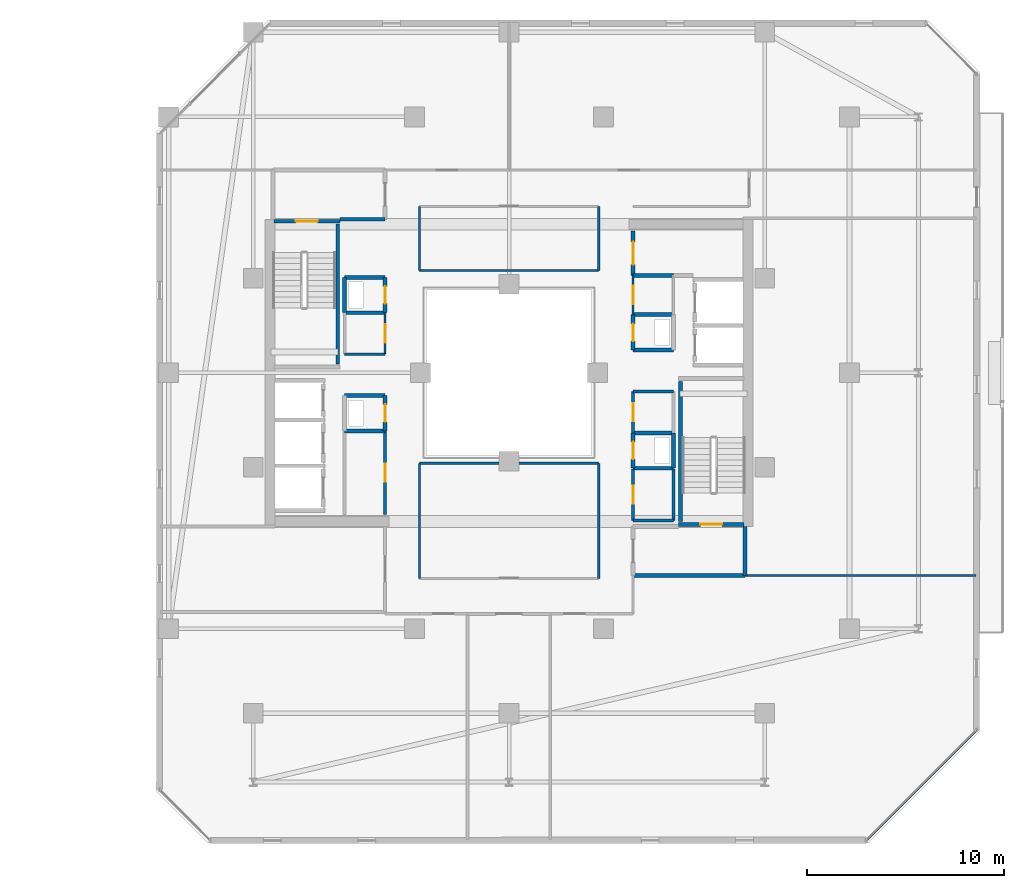
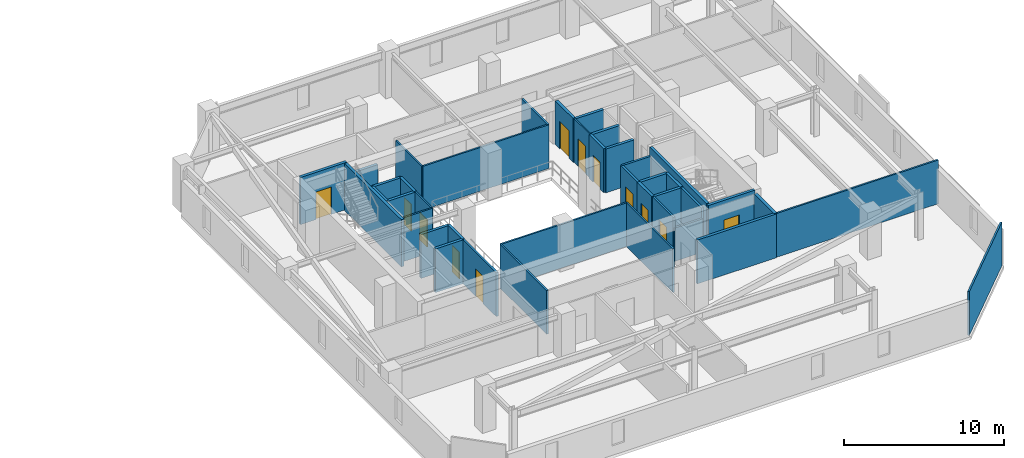
# One storey, part 23 of 31: 40 walls, 12 doors, 12 openings.
"""IFC4 building model written with IfcOpenShell, lengths in metres."""

from ifc_helpers import new_model, si_unit, direction, frame, frame_2d, origin, place, context, subcontext, project, spatial, rectangle, extrude, material, layer, layer_set, type_object, element, fill, save


model = new_model("IFC4")

# Units and contexts
model_context = context("Model", 3, precision=1e-05, world=origin(), true_north=direction((0.0, 1.0)))
body_context = subcontext(model_context, "Body", "Model", "MODEL_VIEW")
ifc_project = project(units=[si_unit("LENGTHUNIT", "METRE"), si_unit("AREAUNIT", "SQUARE_METRE"), si_unit("VOLUMEUNIT", "CUBIC_METRE"), si_unit("PLANEANGLEUNIT", "RADIAN"), si_unit("MASSUNIT", "GRAM", prefix="KILO")], contexts=[model_context])

# Site, building, storey
site_placement = place(None, origin())
site = spatial("IfcSite", under=ifc_project, at=site_placement, CompositionType="ELEMENT")
building_placement = place(site_placement, origin())
building = spatial("IfcBuilding", under=site, at=building_placement, Name="Thornwick Lancets Civic Towers", CompositionType="ELEMENT")
storey_placement = place(building_placement, frame((0.0, 0.0, 236.699951171875)))
storey = spatial("IfcBuildingStorey", under=building, at=storey_placement, Name="L63", CompositionType="ELEMENT", Elevation=236.699951171875)

# Walls
ifc_material_1 = material(Name="Concrete blockwork C40/50", Category="masonry")
ifc_layer_1 = layer(ifc_material_1, 0.199951171875, Name="Concrete blockwork C40/50")
ifc_layer_set_1 = layer_set([ifc_layer_1], Name="Concrete blockwork C40/50")
wall_type_1 = type_object("IfcWallType", Name="WALL_COMP_200", PredefinedType="STANDARD", material=ifc_layer_set_1)
wall_1_placement = place(storey_placement, frame((94.800048828125, 16.699951171875, 0.0), z_axis=(0.0, 0.0, 1.0), x_axis=(1.0, 0.0, 0.0)))
element("IfcWall", 1, at=wall_1_placement, inside=storey, type_object=wall_type_1, Name="L63 Partition L63-B-FFLOB1 E1", PredefinedType="STANDARD", context=body_context, shape_type="SweptSolid", body=[
    extrude(rectangle(XDim=5.699951171875, YDim=0.199951171875, at=frame_2d((2.85009765625, 0.0))), origin(), (0.0, 0.0, 1.0), 3.340087890625),
])
wall_2_placement = place(storey_placement, frame((100.5, 16.699951171875, 0.0), z_axis=(0.0, 0.0, 1.0), x_axis=(0.0, 1.0, 0.0)))
element("IfcWall", 2, at=wall_2_placement, inside=storey, type_object=wall_type_1, Name="L63 Partition L63-B-FFLOB1 E2", PredefinedType="STANDARD", context=body_context, shape_type="SweptSolid", body=[
    extrude(rectangle(XDim=2.5, YDim=0.199951171875, at=frame_2d((1.25, 0.0))), origin(), (0.0, 0.0, 1.0), 3.340087890625),
])
wall_3_placement = place(storey_placement, frame((79.89990234375, 34.800048828125, 0.0), z_axis=(0.0, 0.0, 1.0), x_axis=(1.0, 0.0, 0.0)))
element("IfcWall", 3, at=wall_3_placement, inside=storey, type_object=wall_type_1, Name="L63 Partition L63-B-FFLOB2 E1", PredefinedType="STANDARD", context=body_context, shape_type="SweptSolid", body=[
    extrude(rectangle(XDim=2.300048828125, YDim=0.199951171875, at=frame_2d((1.14990234375, 0.0))), origin(), (0.0, 0.0, 1.0), 2.545166015625),
])
for number, where, z_axis, x_axis, name in (
    (4, (94.800048828125, 28.14990234375, 0.0), (0.0, 0.0, 1.0), (1.0, 0.0, 0.0), "L63 Partition L63-B-DUCT1 E1"),
    (5, (96.85009765625, 29.949951171875, 0.0), (0.0, 0.0, 1.0), (-1.0, 0.0, 0.0), "L63 Partition L63-B-DUCT1 E3"),
):
    element("IfcWall", number, at=place(storey_placement, frame(where, z_axis=z_axis, x_axis=x_axis)), inside=storey, type_object=wall_type_1, Name=name, PredefinedType="STANDARD", context=body_context, shape_type="SweptSolid", body=[
        extrude(rectangle(XDim=2.050048828125, YDim=0.199951171875, at=frame_2d((1.02490234375, 0.0))), origin(), (0.0, 0.0, 1.0), 3.340087890625),
    ])

# Wall, opening, door
wall_4_placement = place(storey_placement, frame((94.800048828125, 29.949951171875, 0.0), z_axis=(0.0, 0.0, 1.0), x_axis=(0.0, -1.0, 0.0)))
wall_4 = element("IfcWall", 6, at=wall_4_placement, inside=storey, type_object=wall_type_1, Name="L63 Partition L63-B-DUCT1 E4", PredefinedType="STANDARD", context=body_context, shape_type="SweptSolid", body=[
    extrude(rectangle(XDim=1.800048828125, YDim=0.199951171875, at=frame_2d((0.89990234375, 0.0))), origin(), (0.0, 0.0, 1.0), 3.340087890625),
])
opening_1_placement = place(wall_4_placement, frame((0.4599609375, 0.0, 0.0)))
opening_1 = element("IfcOpeningElement", 7, at=opening_1_placement, cuts=wall_4, Name="Opening D-L63-2841", PredefinedType="OPENING", context=body_context, shape_type="SweptSolid", body=[
    extrude(rectangle(XDim=0.8798828125, YDim=2.0400390625, at=frame_2d((0.43994140625, 1.02001953125))), frame((0.0, 0.10986328125, 0.0), z_axis=(0.0, -1.0, 0.0), x_axis=(1.0, 0.0, 0.0)), (0.0, 0.0, 1.0), 0.219970703125),
])
ifc_material_2 = material(Name="Steel riser access doorset", Category="steel")
door_type_1 = type_object("IfcDoorType", Name="DOOR_RISER_850", OperationType="NOTDEFINED", PredefinedType="DOOR", material=ifc_material_2)
door_1_placement = place(opening_1_placement, origin())
door_1 = element("IfcDoor", 8, at=door_1_placement, inside=storey, type_object=door_type_1, Name="L63 East Service Duct 1 Door", OperationType="SINGLE_SWING_RIGHT", OverallHeight=2.0400390625, OverallWidth=0.8798828125, PredefinedType="DOOR", context=body_context, shape_type="SweptSolid", body=[
    extrude(rectangle(XDim=0.8798828125, YDim=2.0400390625, at=frame_2d((0.43994140625, 1.02001953125))), frame((0.0, 0.02490234375, 0.0), z_axis=(0.0, -1.0, 0.0), x_axis=(1.0, 0.0, 0.0)), (0.0, 0.0, 1.0), 0.050048828125),
])
fill(opening_1, door_1)

# Walls
wall_5_placement = place(storey_placement, frame((94.800048828125, 22.14990234375, 0.0), z_axis=(0.0, 0.0, 1.0), x_axis=(1.0, 0.0, 0.0)))
element("IfcWall", 9, at=wall_5_placement, inside=storey, type_object=wall_type_1, Name="L63 Partition L63-B-RISER1 E1", PredefinedType="STANDARD", context=body_context, shape_type="SweptSolid", body=[
    extrude(rectangle(XDim=2.050048828125, YDim=0.199951171875, at=frame_2d((1.02490234375, 0.0))), origin(), (0.0, 0.0, 1.0), 3.340087890625),
])
wall_6_placement = place(storey_placement, frame((96.85009765625, 22.14990234375, 0.0), z_axis=(0.0, 0.0, 1.0), x_axis=(0.0, 1.0, 0.0)))
element("IfcWall", 10, at=wall_6_placement, inside=storey, type_object=wall_type_1, Name="L63 Partition L63-B-RISER1 E2", PredefinedType="STANDARD", context=body_context, shape_type="SweptSolid", body=[
    extrude(rectangle(XDim=1.800048828125, YDim=0.199951171875, at=frame_2d((0.89990234375, 0.0))), origin(), (0.0, 0.0, 1.0), 3.340087890625),
])
wall_7_placement = place(storey_placement, frame((96.85009765625, 23.949951171875, 0.0), z_axis=(0.0, 0.0, 1.0), x_axis=(-1.0, 0.0, 0.0)))
element("IfcWall", 11, at=wall_7_placement, inside=storey, type_object=wall_type_1, Name="L63 Partition L63-B-RISER1 E3", PredefinedType="STANDARD", context=body_context, shape_type="SweptSolid", body=[
    extrude(rectangle(XDim=2.050048828125, YDim=0.199951171875, at=frame_2d((1.02490234375, 0.0))), origin(), (0.0, 0.0, 1.0), 3.340087890625),
])

# Wall, opening, door
wall_8_placement = place(storey_placement, frame((94.800048828125, 23.949951171875, 0.0), z_axis=(0.0, 0.0, 1.0), x_axis=(0.0, -1.0, 0.0)))
wall_8 = element("IfcWall", 12, at=wall_8_placement, inside=storey, type_object=wall_type_1, Name="L63 Partition L63-B-RISER1 E4", PredefinedType="STANDARD", context=body_context, shape_type="SweptSolid", body=[
    extrude(rectangle(XDim=1.800048828125, YDim=0.199951171875, at=frame_2d((0.89990234375, 0.0))), origin(), (0.0, 0.0, 1.0), 3.340087890625),
])
opening_2_placement = place(wall_8_placement, frame((0.4599609375, 0.0, 0.0)))
opening_2 = element("IfcOpeningElement", 13, at=opening_2_placement, cuts=wall_8, Name="Opening D-L63-2842", PredefinedType="OPENING", context=body_context, shape_type="SweptSolid", body=[
    extrude(rectangle(XDim=0.8798828125, YDim=2.0400390625, at=frame_2d((0.43994140625, 1.02001953125))), frame((0.0, 0.10986328125, 0.0), z_axis=(0.0, -1.0, 0.0), x_axis=(1.0, 0.0, 0.0)), (0.0, 0.0, 1.0), 0.219970703125),
])
door_2_placement = place(opening_2_placement, origin())
door_2 = element("IfcDoor", 14, at=door_2_placement, inside=storey, type_object=door_type_1, Name="L63 East Electrical Riser 1 Door", OperationType="SINGLE_SWING_LEFT", OverallHeight=2.0400390625, OverallWidth=0.8798828125, PredefinedType="DOOR", context=body_context, shape_type="SweptSolid", body=[
    extrude(rectangle(XDim=0.8798828125, YDim=2.0400390625, at=frame_2d((0.43994140625, 1.02001953125))), frame((0.0, 0.02490234375, 0.0), z_axis=(0.0, -1.0, 0.0), x_axis=(1.0, 0.0, 0.0)), (0.0, 0.0, 1.0), 0.050048828125),
])
fill(opening_2, door_2)

# Wall
wall_9_placement = place(storey_placement, frame((80.14990234375, 24.050048828125, 0.0), z_axis=(0.0, 0.0, 1.0), x_axis=(1.0, 0.0, 0.0)))
element("IfcWall", 15, at=wall_9_placement, inside=storey, type_object=wall_type_1, Name="L63 Partition L63-B-DUCT2 E1", PredefinedType="STANDARD", context=body_context, shape_type="SweptSolid", body=[
    extrude(rectangle(XDim=2.050048828125, YDim=0.199951171875, at=frame_2d((1.02490234375, 0.0))), origin(), (0.0, 0.0, 1.0), 3.340087890625),
])

# Wall, opening, door
wall_10_placement = place(storey_placement, frame((82.199951171875, 24.050048828125, 0.0), z_axis=(0.0, 0.0, 1.0), x_axis=(0.0, 1.0, 0.0)))
wall_10 = element("IfcWall", 16, at=wall_10_placement, inside=storey, type_object=wall_type_1, Name="L63 Partition L63-B-DUCT2 E2", PredefinedType="STANDARD", context=body_context, shape_type="SweptSolid", body=[
    extrude(rectangle(XDim=1.800048828125, YDim=0.199951171875, at=frame_2d((0.89990234375, 0.0))), origin(), (0.0, 0.0, 1.0), 3.340087890625),
])
opening_3_placement = place(wall_10_placement, frame((0.4599609375, 0.0, 0.0)))
opening_3 = element("IfcOpeningElement", 17, at=opening_3_placement, cuts=wall_10, Name="Opening D-L63-2843", PredefinedType="OPENING", context=body_context, shape_type="SweptSolid", body=[
    extrude(rectangle(XDim=0.8798828125, YDim=2.0400390625, at=frame_2d((0.43994140625, 1.02001953125))), frame((0.0, 0.10986328125, 0.0), z_axis=(0.0, -1.0, 0.0), x_axis=(1.0, 0.0, 0.0)), (0.0, 0.0, 1.0), 0.219970703125),
])
door_3_placement = place(opening_3_placement, origin())
door_3 = element("IfcDoor", 18, at=door_3_placement, inside=storey, type_object=door_type_1, Name="L63 West Service Duct 2 Door", OperationType="SINGLE_SWING_RIGHT", OverallHeight=2.0400390625, OverallWidth=0.8798828125, PredefinedType="DOOR", context=body_context, shape_type="SweptSolid", body=[
    extrude(rectangle(XDim=0.8798828125, YDim=2.0400390625, at=frame_2d((0.43994140625, 1.02001953125))), frame((0.0, 0.02490234375, 0.0), z_axis=(0.0, -1.0, 0.0), x_axis=(1.0, 0.0, 0.0)), (0.0, 0.0, 1.0), 0.050048828125),
])
fill(opening_3, door_3)

# Walls
for number, where, z_axis, x_axis, name in (
    (19, (82.199951171875, 25.85009765625, 0.0), (0.0, 0.0, 1.0), (-1.0, 0.0, 0.0), "L63 Partition L63-B-DUCT2 E3"),
    (20, (80.14990234375, 30.050048828125, 0.0), (0.0, 0.0, 1.0), (1.0, 0.0, 0.0), "L63 Partition L63-B-RISER2 E1"),
):
    element("IfcWall", number, at=place(storey_placement, frame(where, z_axis=z_axis, x_axis=x_axis)), inside=storey, type_object=wall_type_1, Name=name, PredefinedType="STANDARD", context=body_context, shape_type="SweptSolid", body=[
        extrude(rectangle(XDim=2.050048828125, YDim=0.199951171875, at=frame_2d((1.02490234375, 0.0))), origin(), (0.0, 0.0, 1.0), 3.340087890625),
    ])

# Wall, opening, door
wall_11_placement = place(storey_placement, frame((82.199951171875, 30.050048828125, 0.0), z_axis=(0.0, 0.0, 1.0), x_axis=(0.0, 1.0, 0.0)))
wall_11 = element("IfcWall", 21, at=wall_11_placement, inside=storey, type_object=wall_type_1, Name="L63 Partition L63-B-RISER2 E2", PredefinedType="STANDARD", context=body_context, shape_type="SweptSolid", body=[
    extrude(rectangle(XDim=1.800048828125, YDim=0.199951171875, at=frame_2d((0.89990234375, 0.0))), origin(), (0.0, 0.0, 1.0), 3.340087890625),
])
opening_4_placement = place(wall_11_placement, frame((0.4599609375, 0.0, 0.0)))
opening_4 = element("IfcOpeningElement", 22, at=opening_4_placement, cuts=wall_11, Name="Opening D-L63-2844", PredefinedType="OPENING", context=body_context, shape_type="SweptSolid", body=[
    extrude(rectangle(XDim=0.8798828125, YDim=2.0400390625, at=frame_2d((0.43994140625, 1.02001953125))), frame((0.0, 0.10986328125, 0.0), z_axis=(0.0, -1.0, 0.0), x_axis=(1.0, 0.0, 0.0)), (0.0, 0.0, 1.0), 0.219970703125),
])
door_4_placement = place(opening_4_placement, origin())
door_4 = element("IfcDoor", 23, at=door_4_placement, inside=storey, type_object=door_type_1, Name="L63 West Service Riser 2 Door", OperationType="SINGLE_SWING_LEFT", OverallHeight=2.0400390625, OverallWidth=0.8798828125, PredefinedType="DOOR", context=body_context, shape_type="SweptSolid", body=[
    extrude(rectangle(XDim=0.8798828125, YDim=2.0400390625, at=frame_2d((0.43994140625, 1.02001953125))), frame((0.0, 0.02490234375, 0.0), z_axis=(0.0, -1.0, 0.0), x_axis=(1.0, 0.0, 0.0)), (0.0, 0.0, 1.0), 0.050048828125),
])
fill(opening_4, door_4)

# Walls
wall_12_placement = place(storey_placement, frame((82.199951171875, 31.85009765625, 0.0), z_axis=(0.0, 0.0, 1.0), x_axis=(-1.0, 0.0, 0.0)))
element("IfcWall", 24, at=wall_12_placement, inside=storey, type_object=wall_type_1, Name="L63 Partition L63-B-RISER2 E3", PredefinedType="STANDARD", context=body_context, shape_type="SweptSolid", body=[
    extrude(rectangle(XDim=2.050048828125, YDim=0.199951171875, at=frame_2d((1.02490234375, 0.0))), origin(), (0.0, 0.0, 1.0), 3.340087890625),
])
wall_13_placement = place(storey_placement, frame((80.14990234375, 31.85009765625, 0.0), z_axis=(0.0, 0.0, 1.0), x_axis=(0.0, -1.0, 0.0)))
element("IfcWall", 25, at=wall_13_placement, inside=storey, type_object=wall_type_1, Name="L63 Partition L63-B-RISER2 E4", PredefinedType="STANDARD", context=body_context, shape_type="SweptSolid", body=[
    extrude(rectangle(XDim=1.800048828125, YDim=0.199951171875, at=frame_2d((0.89990234375, 0.0))), origin(), (0.0, 0.0, 1.0), 3.340087890625),
])

# Wall, opening, door
wall_14_placement = place(storey_placement, frame((94.800048828125, 31.949951171875, 0.0), z_axis=(0.0, 0.0, 1.0), x_axis=(0.0, 1.0, 0.0)))
wall_14 = element("IfcWall", 26, at=wall_14_placement, inside=storey, type_object=wall_type_1, Name="L63 Partition L63-B-ITR2 E1", PredefinedType="STANDARD", context=body_context, shape_type="SweptSolid", body=[
    extrude(rectangle(XDim=2.25, YDim=0.199951171875, at=frame_2d((1.125, 0.0))), origin(), (0.0, 0.0, 1.0), 3.340087890625),
])
opening_5_placement = place(wall_14_placement, frame((0.550048828125, 0.0, 0.0)))
opening_5 = element("IfcOpeningElement", 27, at=opening_5_placement, cuts=wall_14, Name="Opening D-L63-2848", PredefinedType="OPENING", context=body_context, shape_type="SweptSolid", body=[
    extrude(rectangle(XDim=1.14990234375, YDim=2.10009765625, at=frame_2d((0.574951171875, 1.050048828125))), frame((0.0, 0.10986328125, 0.0), z_axis=(0.0, -1.0, 0.0), x_axis=(1.0, 0.0, 0.0)), (0.0, 0.0, 1.0), 0.219970703125),
])
ifc_material_3 = material(Name="Glazed fire-resisting steel", Category="steel")
door_type_2 = type_object("IfcDoorType", Name="DOOR_LOBBY_FD60", OperationType="NOTDEFINED", PredefinedType="DOOR", material=ifc_material_3)
door_5_placement = place(opening_5_placement, origin())
door_5 = element("IfcDoor", 28, at=door_5_placement, inside=storey, type_object=door_type_2, Name="L63 Tower B Statutory Core Archive Door", OperationType="SINGLE_SWING_LEFT", OverallHeight=2.10009765625, OverallWidth=1.14990234375, PredefinedType="DOOR", context=body_context, shape_type="SweptSolid", body=[
    extrude(rectangle(XDim=1.14990234375, YDim=2.10009765625, at=frame_2d((0.574951171875, 1.050048828125))), frame((0.0, 0.02490234375, 0.0), z_axis=(0.0, -1.0, 0.0), x_axis=(1.0, 0.0, 0.0)), (0.0, 0.0, 1.0), 0.050048828125),
])
fill(opening_5, door_5)

# Wall
wall_15_placement = place(storey_placement, frame((96.85009765625, 31.949951171875, 0.0), z_axis=(0.0, 0.0, 1.0), x_axis=(-1.0, 0.0, 0.0)))
element("IfcWall", 29, at=wall_15_placement, inside=storey, type_object=wall_type_1, Name="L63 Partition L63-B-ITR2 E5", PredefinedType="STANDARD", context=body_context, shape_type="SweptSolid", body=[
    extrude(rectangle(XDim=2.050048828125, YDim=0.199951171875, at=frame_2d((1.02490234375, 0.0))), origin(), (0.0, 0.0, 1.0), 3.340087890625),
])

# Wall, opening, door
ifc_material_4 = material(Name="Lightweight cellular office partition")
ifc_layer_2 = layer(ifc_material_4, 0.10009765625, Name="Lightweight cellular office partition")
ifc_layer_set_2 = layer_set([ifc_layer_2], Name="Lightweight cellular office partition")
wall_type_2 = type_object("IfcWallType", Name="WALL_PART_100", PredefinedType="PARTITIONING", material=ifc_layer_set_2)
wall_16_placement = place(storey_placement, frame((94.800048828125, 29.949951171875, 0.0), z_axis=(0.0, 0.0, 1.0), x_axis=(0.0, 1.0, 0.0)))
wall_16 = element("IfcWall", 30, at=wall_16_placement, inside=storey, type_object=wall_type_2, Name="L63 Partition L63-B-CLN E1", PredefinedType="PARTITIONING", context=body_context, shape_type="SweptSolid", body=[
    extrude(rectangle(XDim=2.0, YDim=0.10009765625, at=frame_2d((1.0, 0.0))), origin(), (0.0, 0.0, 1.0), 3.340087890625),
])
opening_6_placement = place(wall_16_placement, frame((0.52490234375, 0.0, 0.0)))
opening_6 = element("IfcOpeningElement", 31, at=opening_6_placement, cuts=wall_16, Name="Opening D-L63-2847", PredefinedType="OPENING", context=body_context, shape_type="SweptSolid", body=[
    extrude(rectangle(XDim=0.949951171875, YDim=2.10009765625, at=frame_2d((0.47509765625, 1.050048828125))), frame((0.0, 0.06005859375, 0.0), z_axis=(0.0, -1.0, 0.0), x_axis=(1.0, 0.0, 0.0)), (0.0, 0.0, 1.0), 0.1201171875),
])
ifc_material_5 = material(Name="European oak acoustic doorset")
door_type_3 = type_object("IfcDoorType", Name="DOOR_OFFICE_950", OperationType="NOTDEFINED", PredefinedType="DOOR", material=ifc_material_5)
door_6_placement = place(opening_6_placement, origin())
door_6 = element("IfcDoor", 32, at=door_6_placement, inside=storey, type_object=door_type_3, Name="L63 Tower B Cleaners Store Door", OperationType="SINGLE_SWING_RIGHT", OverallHeight=2.10009765625, OverallWidth=0.949951171875, PredefinedType="DOOR", context=body_context, shape_type="SweptSolid", body=[
    extrude(rectangle(XDim=0.949951171875, YDim=2.10009765625, at=frame_2d((0.47509765625, 1.050048828125))), frame((0.0, 0.02490234375, 0.0), z_axis=(0.0, -1.0, 0.0), x_axis=(1.0, 0.0, 0.0)), (0.0, 0.0, 1.0), 0.050048828125),
])
fill(opening_6, door_6)

# Wall
ifc_material_6 = material(Name="Acoustic gypsum board partition")
ifc_layer_3 = layer(ifc_material_6, 0.1201171875, Name="Acoustic gypsum board partition")
ifc_layer_set_3 = layer_set([ifc_layer_3], Name="Acoustic gypsum board partition")
wall_type_3 = type_object("IfcWallType", Name="WALL_PART_120", PredefinedType="PARTITIONING", material=ifc_layer_set_3)
wall_17_placement = place(storey_placement, frame((82.199951171875, 27.949951171875, 0.0), z_axis=(0.0, 0.0, 1.0), x_axis=(-1.0, 0.0, 0.0)))
element("IfcWall", 33, at=wall_17_placement, inside=storey, type_object=wall_type_3, Name="L63 Partition L63-B-ITR E1", PredefinedType="PARTITIONING", context=body_context, shape_type="SweptSolid", body=[
    extrude(rectangle(XDim=2.050048828125, YDim=0.1201171875, at=frame_2d((1.02490234375, 0.0))), origin(), (0.0, 0.0, 1.0), 3.340087890625),
])

# Wall, opening, door
wall_18_placement = place(storey_placement, frame((82.199951171875, 30.050048828125, 0.0), z_axis=(0.0, 0.0, 1.0), x_axis=(0.0, -1.0, 0.0)))
wall_18 = element("IfcWall", 34, at=wall_18_placement, inside=storey, type_object=wall_type_3, Name="L63 Partition L63-B-ITR E4", PredefinedType="PARTITIONING", context=body_context, shape_type="SweptSolid", body=[
    extrude(rectangle(XDim=2.10009765625, YDim=0.1201171875, at=frame_2d((1.050048828125, 0.0))), origin(), (0.0, 0.0, 1.0), 3.340087890625),
])
opening_7_placement = place(wall_18_placement, frame((0.574951171875, 0.0, 0.0)))
opening_7 = element("IfcOpeningElement", 35, at=opening_7_placement, cuts=wall_18, Name="Opening D-L63-2850", PredefinedType="OPENING", context=body_context, shape_type="SweptSolid", body=[
    extrude(rectangle(XDim=0.949951171875, YDim=2.10009765625, at=frame_2d((0.47509765625, 1.050048828125))), frame((0.0, 0.070068359375, 0.0), z_axis=(0.0, -1.0, 0.0), x_axis=(1.0, 0.0, 0.0)), (0.0, 0.0, 1.0), 0.14013671875),
])
door_7_placement = place(opening_7_placement, origin())
door_7 = element("IfcDoor", 36, at=door_7_placement, inside=storey, type_object=door_type_3, Name="L63 Tower B Comms Patch Room Door", OperationType="SINGLE_SWING_LEFT", OverallHeight=2.10009765625, OverallWidth=0.949951171875, PredefinedType="DOOR", context=body_context, shape_type="SweptSolid", body=[
    extrude(rectangle(XDim=0.949951171875, YDim=2.10009765625, at=frame_2d((0.47509765625, 1.050048828125))), frame((0.0, 0.02490234375, 0.0), z_axis=(0.0, -1.0, 0.0), x_axis=(1.0, 0.0, 0.0)), (0.0, 0.0, 1.0), 0.050048828125),
])
fill(opening_7, door_7)

# Walls
wall_19_placement = place(storey_placement, frame((100.5, 16.699951171875, 0.0), z_axis=(0.0, 0.0, 1.0), x_axis=(1.0, 0.0, 0.0)))
element("IfcWall", 37, at=wall_19_placement, inside=storey, type_object=wall_type_3, Name="L63 Partition L63-B-W1 E7", PredefinedType="PARTITIONING", context=body_context, shape_type="SweptSolid", body=[
    extrude(rectangle(XDim=11.719970703125, YDim=0.1201171875, at=frame_2d((5.85986328125, 0.0))), origin(), (0.0, 0.0, 1.0), 3.340087890625),
])
wall_20_placement = place(storey_placement, frame((112.219970703125, 8.820556640625, 0.0), z_axis=(0.0, 0.0, 1.0), x_axis=(-0.707106781187, -0.707106781187, 0.0)))
element("IfcWall", 38, at=wall_20_placement, inside=storey, type_object=wall_type_3, Name="L63 Partition L63-B-W1 E9", PredefinedType="PARTITIONING", context=body_context, shape_type="SweptSolid", body=[
    extrude(rectangle(XDim=7.83544921875, YDim=0.1201171875, at=frame_2d((3.917724609375, 0.0))), origin(), (0.0, 0.0, 1.0), 3.340087890625),
])
wall_21_placement = place(storey_placement, frame((83.949951171875, 16.550048828125, 0.0), z_axis=(0.0, 0.0, 1.0), x_axis=(0.0, 1.0, 0.0)))
element("IfcWall", 39, at=wall_21_placement, inside=storey, type_object=wall_type_3, Name="L63 Partition L63-B-W3 E1", PredefinedType="PARTITIONING", context=body_context, shape_type="SweptSolid", body=[
    extrude(rectangle(XDim=5.849853515625, YDim=0.1201171875, at=frame_2d((2.9248046875, 0.0))), origin(), (0.0, 0.0, 1.0), 3.340087890625),
])
wall_22_placement = place(storey_placement, frame((83.949951171875, 22.39990234375, 0.0), z_axis=(0.0, 0.0, 1.0), x_axis=(1.0, 0.0, 0.0)))
element("IfcWall", 40, at=wall_22_placement, inside=storey, type_object=wall_type_3, Name="L63 Partition L63-B-W3 E2", PredefinedType="PARTITIONING", context=body_context, shape_type="SweptSolid", body=[
    extrude(rectangle(XDim=9.10009765625, YDim=0.1201171875, at=frame_2d((4.550048828125, 0.0))), origin(), (0.0, 0.0, 1.0), 3.340087890625),
])
wall_23_placement = place(storey_placement, frame((93.050048828125, 22.39990234375, 0.0), z_axis=(0.0, 0.0, 1.0), x_axis=(0.0, -1.0, 0.0)))
element("IfcWall", 41, at=wall_23_placement, inside=storey, type_object=wall_type_3, Name="L63 Partition L63-B-W3 E3", PredefinedType="PARTITIONING", context=body_context, shape_type="SweptSolid", body=[
    extrude(rectangle(XDim=5.849853515625, YDim=0.1201171875, at=frame_2d((2.9248046875, 0.0))), origin(), (0.0, 0.0, 1.0), 3.340087890625),
])
for number, where, z_axis, x_axis, name in (
    (42, (83.949951171875, 32.199951171875, 0.0), (0.0, 0.0, 1.0), (0.0, 1.0, 0.0), "L63 Partition L63-B-E-ATRIUM-OFF E1"),
    (43, (93.050048828125, 35.449951171875, 0.0), (0.0, 0.0, 1.0), (0.0, -1.0, 0.0), "L63 Partition L63-B-E-ATRIUM-OFF E3"),
):
    element("IfcWall", number, at=place(storey_placement, frame(where, z_axis=z_axis, x_axis=x_axis)), inside=storey, type_object=wall_type_3, Name=name, PredefinedType="PARTITIONING", context=body_context, shape_type="SweptSolid", body=[
        extrude(rectangle(XDim=3.25, YDim=0.1201171875, at=frame_2d((1.625, 0.0))), origin(), (0.0, 0.0, 1.0), 3.340087890625),
    ])
wall_24_placement = place(storey_placement, frame((93.050048828125, 32.199951171875, 0.0), z_axis=(0.0, 0.0, 1.0), x_axis=(-1.0, 0.0, 0.0)))
element("IfcWall", 44, at=wall_24_placement, inside=storey, type_object=wall_type_3, Name="L63 Partition L63-B-E-ATRIUM-OFF E4", PredefinedType="PARTITIONING", context=body_context, shape_type="SweptSolid", body=[
    extrude(rectangle(XDim=9.10009765625, YDim=0.1201171875, at=frame_2d((4.550048828125, 0.0))), origin(), (0.0, 0.0, 1.0), 3.340087890625),
])
ifc_material_7 = material(Name="Twin-stud acoustic gypsum board")
ifc_layer_4 = layer(ifc_material_7, 0.14990234375, Name="Twin-stud acoustic gypsum board")
ifc_layer_set_4 = layer_set([ifc_layer_4], Name="Twin-stud acoustic gypsum board")
wall_type_4 = type_object("IfcWallType", Name="WALL_PART_150", PredefinedType="PARTITIONING", material=ifc_layer_set_4)
wall_25_placement = place(storey_placement, frame((94.800048828125, 19.5, 0.0), z_axis=(0.0, 0.0, 1.0), x_axis=(1.0, 0.0, 0.0)))
element("IfcWall", 45, at=wall_25_placement, inside=storey, type_object=wall_type_4, Name="L63 Partition L63-B-MWC E1", PredefinedType="PARTITIONING", context=body_context, shape_type="SweptSolid", body=[
    extrude(rectangle(XDim=2.050048828125, YDim=0.14990234375, at=frame_2d((1.02490234375, 0.0))), origin(), (0.0, 0.0, 1.0), 2.545166015625),
])
wall_26_placement = place(storey_placement, frame((96.85009765625, 19.5, 0.0), z_axis=(0.0, 0.0, 1.0), x_axis=(0.0, 1.0, 0.0)))
element("IfcWall", 46, at=wall_26_placement, inside=storey, type_object=wall_type_4, Name="L63 Partition L63-B-MWC E2", PredefinedType="PARTITIONING", context=body_context, shape_type="SweptSolid", body=[
    extrude(rectangle(XDim=2.60009765625, YDim=0.14990234375, at=frame_2d((1.300048828125, 0.0))), origin(), (0.0, 0.0, 1.0), 3.340087890625),
])

# Wall, opening, door
wall_27_placement = place(storey_placement, frame((94.800048828125, 22.10009765625, 0.0), z_axis=(0.0, 0.0, 1.0), x_axis=(0.0, -1.0, 0.0)))
wall_27 = element("IfcWall", 47, at=wall_27_placement, inside=storey, type_object=wall_type_4, Name="L63 Partition L63-B-MWC E4", PredefinedType="PARTITIONING", context=body_context, shape_type="SweptSolid", body=[
    extrude(rectangle(XDim=2.60009765625, YDim=0.14990234375, at=frame_2d((1.300048828125, 0.0))), origin(), (0.0, 0.0, 1.0), 3.340087890625),
])
opening_8_placement = place(wall_27_placement, frame((0.840087890625, 0.0, 0.0)))
opening_8 = element("IfcOpeningElement", 48, at=opening_8_placement, cuts=wall_27, Name="Opening D-L63-2845", PredefinedType="OPENING", context=body_context, shape_type="SweptSolid", body=[
    extrude(rectangle(XDim=0.919921875, YDim=2.080078125, at=frame_2d((0.4599609375, 1.0400390625))), frame((0.0, 0.0849609375, 0.0), z_axis=(0.0, -1.0, 0.0), x_axis=(1.0, 0.0, 0.0)), (0.0, 0.0, 1.0), 0.169921875),
])
ifc_material_8 = material(Name="Moisture-resistant oak doorset")
door_type_4 = type_object("IfcDoorType", Name="DOOR_WC_900", OperationType="NOTDEFINED", PredefinedType="DOOR", material=ifc_material_8)
door_8_placement = place(opening_8_placement, origin())
door_8 = element("IfcDoor", 49, at=door_8_placement, inside=storey, type_object=door_type_4, Name="L63 Tower B Male WC Door", OperationType="SINGLE_SWING_RIGHT", OverallHeight=2.080078125, OverallWidth=0.919921875, PredefinedType="DOOR", context=body_context, shape_type="SweptSolid", body=[
    extrude(rectangle(XDim=0.919921875, YDim=2.080078125, at=frame_2d((0.4599609375, 1.0400390625))), frame((0.0, 0.02490234375, 0.0), z_axis=(0.0, -1.0, 0.0), x_axis=(1.0, 0.0, 0.0)), (0.0, 0.0, 1.0), 0.050048828125),
])
fill(opening_8, door_8)

wall_28_placement = place(storey_placement, frame((94.800048828125, 23.949951171875, 0.0), z_axis=(0.0, 0.0, 1.0), x_axis=(0.0, 1.0, 0.0)))
wall_28 = element("IfcWall", 50, at=wall_28_placement, inside=storey, type_object=wall_type_4, Name="L63 Partition L63-B-AWC E1", PredefinedType="PARTITIONING", context=body_context, shape_type="SweptSolid", body=[
    extrude(rectangle(XDim=2.10009765625, YDim=0.14990234375, at=frame_2d((1.050048828125, 0.0))), origin(), (0.0, 0.0, 1.0), 3.340087890625),
])
opening_9_placement = place(wall_28_placement, frame((0.590087890625, 0.0, 0.0)))
opening_9 = element("IfcOpeningElement", 51, at=opening_9_placement, cuts=wall_28, Name="Opening D-L63-2846", PredefinedType="OPENING", context=body_context, shape_type="SweptSolid", body=[
    extrude(rectangle(XDim=0.919921875, YDim=2.080078125, at=frame_2d((0.4599609375, 1.0400390625))), frame((0.0, 0.0849609375, 0.0), z_axis=(0.0, -1.0, 0.0), x_axis=(1.0, 0.0, 0.0)), (0.0, 0.0, 1.0), 0.169921875),
])
door_9_placement = place(opening_9_placement, origin())
door_9 = element("IfcDoor", 52, at=door_9_placement, inside=storey, type_object=door_type_4, Name="L63 Tower B Accessible WC Door", OperationType="SINGLE_SWING_LEFT", OverallHeight=2.080078125, OverallWidth=0.919921875, PredefinedType="DOOR", context=body_context, shape_type="SweptSolid", body=[
    extrude(rectangle(XDim=0.919921875, YDim=2.080078125, at=frame_2d((0.4599609375, 1.0400390625))), frame((0.0, 0.02490234375, 0.0), z_axis=(0.0, -1.0, 0.0), x_axis=(1.0, 0.0, 0.0)), (0.0, 0.0, 1.0), 0.050048828125),
])
fill(opening_9, door_9)

# Wall
wall_29_placement = place(storey_placement, frame((94.800048828125, 26.050048828125, 0.0), z_axis=(0.0, 0.0, 1.0), x_axis=(1.0, 0.0, 0.0)))
element("IfcWall", 53, at=wall_29_placement, inside=storey, type_object=wall_type_4, Name="L63 Partition L63-B-AWC E2", PredefinedType="PARTITIONING", context=body_context, shape_type="SweptSolid", body=[
    extrude(rectangle(XDim=2.050048828125, YDim=0.14990234375, at=frame_2d((1.02490234375, 0.0))), origin(), (0.0, 0.0, 1.0), 3.340087890625),
])

# Wall, opening, door
wall_30_placement = place(storey_placement, frame((82.199951171875, 24.050048828125, 0.0), z_axis=(0.0, 0.0, 1.0), x_axis=(0.0, -1.0, 0.0)))
wall_30 = element("IfcWall", 54, at=wall_30_placement, inside=storey, type_object=wall_type_4, Name="L63 Partition L63-B-FWC E4", PredefinedType="PARTITIONING", context=body_context, shape_type="SweptSolid", body=[
    extrude(rectangle(XDim=4.25, YDim=0.14990234375, at=frame_2d((2.125, 0.0))), origin(), (0.0, 0.0, 1.0), 3.340087890625),
])
opening_10_placement = place(wall_30_placement, frame((1.6650390625, 0.0, 0.0)))
opening_10 = element("IfcOpeningElement", 55, at=opening_10_placement, cuts=wall_30, Name="Opening D-L63-2849", PredefinedType="OPENING", context=body_context, shape_type="SweptSolid", body=[
    extrude(rectangle(XDim=0.919921875, YDim=2.080078125, at=frame_2d((0.4599609375, 1.0400390625))), frame((0.0, 0.0849609375, 0.0), z_axis=(0.0, -1.0, 0.0), x_axis=(1.0, 0.0, 0.0)), (0.0, 0.0, 1.0), 0.169921875),
])
door_10_placement = place(opening_10_placement, origin())
door_10 = element("IfcDoor", 56, at=door_10_placement, inside=storey, type_object=door_type_4, Name="L63 Tower B Female WC Door", OperationType="SINGLE_SWING_RIGHT", OverallHeight=2.080078125, OverallWidth=0.919921875, PredefinedType="DOOR", context=body_context, shape_type="SweptSolid", body=[
    extrude(rectangle(XDim=0.919921875, YDim=2.080078125, at=frame_2d((0.4599609375, 1.0400390625))), frame((0.0, 0.02490234375, 0.0), z_axis=(0.0, -1.0, 0.0), x_axis=(1.0, 0.0, 0.0)), (0.0, 0.0, 1.0), 0.050048828125),
])
fill(opening_10, door_10)

ifc_material_9 = material(Name="Concrete C40/50", Category="concrete")
ifc_layer_5 = layer(ifc_material_9, 0.199951171875, Name="Concrete C40/50")
ifc_layer_set_5 = layer_set([ifc_layer_5], Name="Concrete C40/50")
wall_type_5 = type_object("IfcWallType", Name="WALL_SHAFT_200", PredefinedType="SHEAR", material=ifc_layer_set_5)
wall_31_placement = place(storey_placement, frame((100.449951171875, 19.300048828125, 0.0), z_axis=(0.0, 0.0, 1.0), x_axis=(-1.0, 0.0, 0.0)))
wall_31 = element("IfcWall", 57, at=wall_31_placement, inside=storey, type_object=wall_type_5, Name="L63 ST-B1 Fire Stair Core Wall NEAR", PredefinedType="SHEAR", context=body_context, shape_type="SweptSolid", body=[
    extrude(rectangle(XDim=3.349853515625, YDim=0.199951171875, at=frame_2d((1.6748046875, 0.0))), origin(), (0.0, 0.0, 1.0), 3.60009765625),
])
opening_11_placement = place(wall_31_placement, frame((1.125, 0.0, 0.0)))
opening_11 = element("IfcOpeningElement", 58, at=opening_11_placement, cuts=wall_31, Name="Opening D-ST-B1-L63", PredefinedType="OPENING", context=body_context, shape_type="SweptSolid", body=[
    extrude(rectangle(XDim=1.10009765625, YDim=2.10009765625, at=frame_2d((0.550048828125, 1.050048828125))), frame((0.0, 0.10986328125, 0.0), z_axis=(0.0, -1.0, 0.0), x_axis=(1.0, 0.0, 0.0)), (0.0, 0.0, 1.0), 0.219970703125),
])
ifc_material_10 = material(Name="Fire-resisting steel and hardwood", Category="steel")
door_type_5 = type_object("IfcDoorType", Name="DOOR_STAIR_FD60", OperationType="NOTDEFINED", PredefinedType="DOOR", material=ifc_material_10)
door_11_placement = place(opening_11_placement, origin())
door_11 = element("IfcDoor", 59, at=door_11_placement, inside=storey, type_object=door_type_5, Name="L63 ST-B1 Exit Stair Door", OperationType="SINGLE_SWING_RIGHT", OverallHeight=2.10009765625, OverallWidth=1.10009765625, PredefinedType="DOOR", context=body_context, shape_type="SweptSolid", body=[
    extrude(rectangle(XDim=1.10009765625, YDim=2.10009765625, at=frame_2d((0.550048828125, 1.050048828125))), frame((0.0, 0.02490234375, 0.0), z_axis=(0.0, -1.0, 0.0), x_axis=(1.0, 0.0, 0.0)), (0.0, 0.0, 1.0), 0.050048828125),
])
fill(opening_11, door_11)

# Wall
wall_32_placement = place(storey_placement, frame((97.202880859375, 26.550048828125, 0.0), z_axis=(0.0, 0.0, 1.0), x_axis=(0.0, -1.0, 0.0)))
element("IfcWall", 60, at=wall_32_placement, inside=storey, type_object=wall_type_5, Name="L63 ST-B1 Fire Stair Core Wall RIGHT", PredefinedType="SHEAR", context=body_context, shape_type="SweptSolid", body=[
    extrude(rectangle(XDim=7.10009765625, YDim=0.199951171875, at=frame_2d((3.550048828125, 0.0))), origin(), (0.0, 0.0, 1.0), 3.60009765625),
])

# Wall, opening, door
wall_33_placement = place(storey_placement, frame((76.550048828125, 34.699951171875, 0.0), z_axis=(0.0, 0.0, 1.0), x_axis=(1.0, 0.0, 0.0)))
wall_33 = element("IfcWall", 61, at=wall_33_placement, inside=storey, type_object=wall_type_5, Name="L63 ST-B2 Fire Stair Core Wall NEAR", PredefinedType="SHEAR", context=body_context, shape_type="SweptSolid", body=[
    extrude(rectangle(XDim=3.349853515625, YDim=0.199951171875, at=frame_2d((1.6748046875, 0.0))), origin(), (0.0, 0.0, 1.0), 3.60009765625),
])
opening_12_placement = place(wall_33_placement, frame((1.125, 0.0, 0.0)))
opening_12 = element("IfcOpeningElement", 62, at=opening_12_placement, cuts=wall_33, Name="Opening D-ST-B2-L63", PredefinedType="OPENING", context=body_context, shape_type="SweptSolid", body=[
    extrude(rectangle(XDim=1.10009765625, YDim=2.10009765625, at=frame_2d((0.550048828125, 1.050048828125))), frame((0.0, 0.10986328125, 0.0), z_axis=(0.0, -1.0, 0.0), x_axis=(1.0, 0.0, 0.0)), (0.0, 0.0, 1.0), 0.219970703125),
])
door_12_placement = place(opening_12_placement, origin())
door_12 = element("IfcDoor", 63, at=door_12_placement, inside=storey, type_object=door_type_5, Name="L63 ST-B2 Exit Stair Door", OperationType="SINGLE_SWING_LEFT", OverallHeight=2.10009765625, OverallWidth=1.10009765625, PredefinedType="DOOR", context=body_context, shape_type="SweptSolid", body=[
    extrude(rectangle(XDim=1.10009765625, YDim=2.10009765625, at=frame_2d((0.550048828125, 1.050048828125))), frame((0.0, 0.02490234375, 0.0), z_axis=(0.0, -1.0, 0.0), x_axis=(1.0, 0.0, 0.0)), (0.0, 0.0, 1.0), 0.050048828125),
])
fill(opening_12, door_12)

# Wall
wall_34_placement = place(storey_placement, frame((79.797119140625, 27.449951171875, 0.0), z_axis=(0.0, 0.0, 1.0), x_axis=(0.0, 1.0, 0.0)))
element("IfcWall", 64, at=wall_34_placement, inside=storey, type_object=wall_type_5, Name="L63 ST-B2 Fire Stair Core Wall RIGHT", PredefinedType="SHEAR", context=body_context, shape_type="SweptSolid", body=[
    extrude(rectangle(XDim=7.10009765625, YDim=0.199951171875, at=frame_2d((3.550048828125, 0.0))), origin(), (0.0, 0.0, 1.0), 3.60009765625),
])

save(model, "model.ifc")
